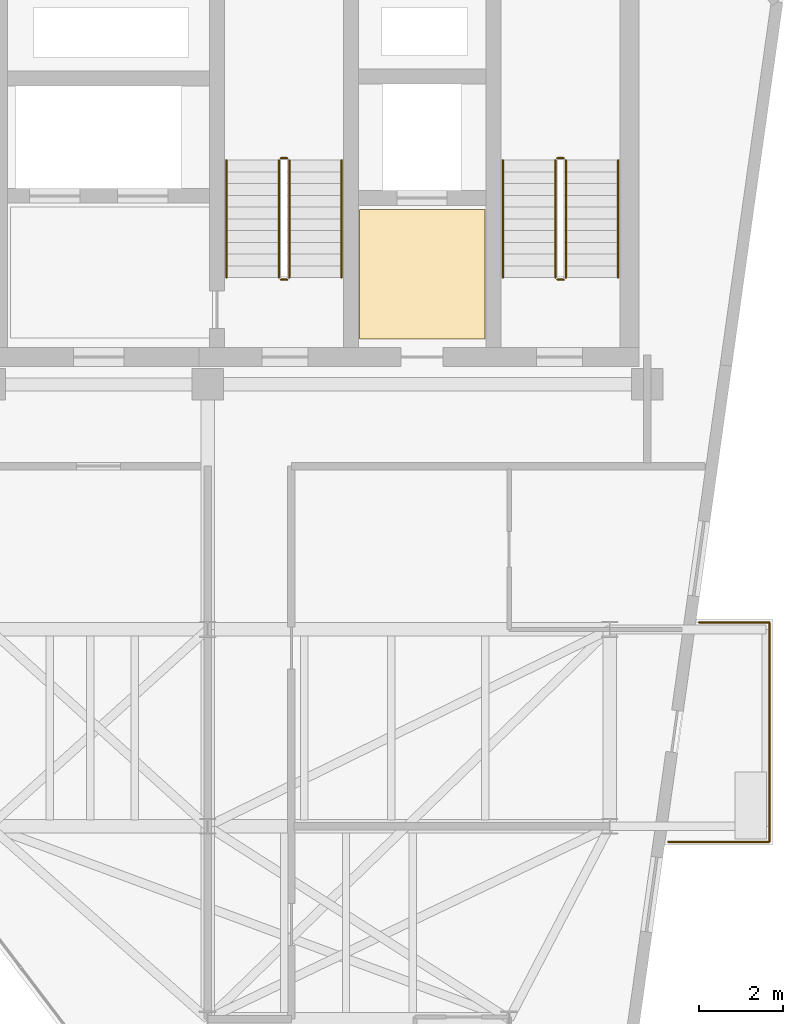
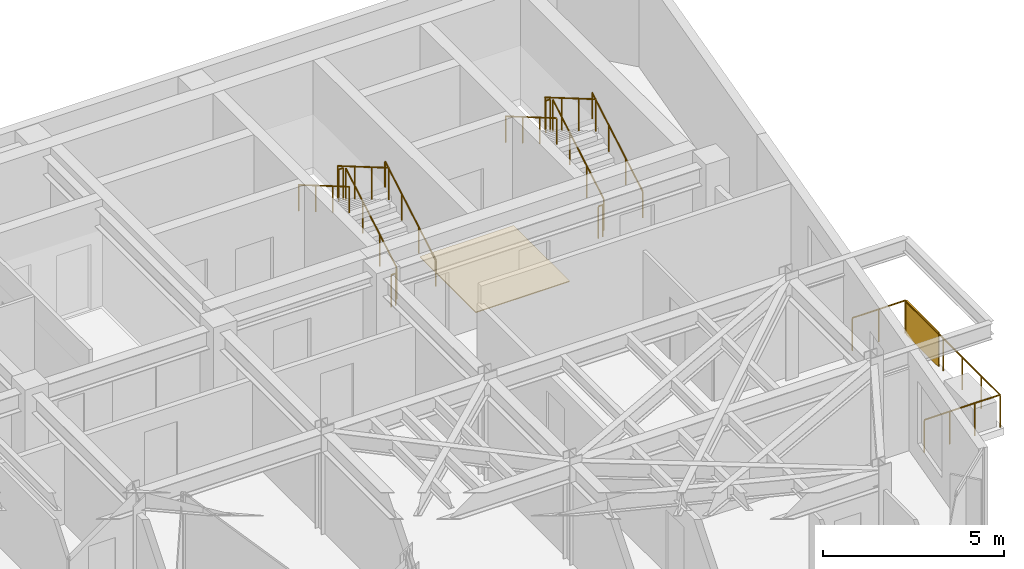
# One storey, part 16 of 16: 15 railings, 1 covering, 1 shading device.
"""IFC4 building model written with IfcOpenShell, lengths in metres."""

from ifc_helpers import new_model, si_unit, direction, frame, origin, origin_2d, place, context, subcontext, project, spatial, polyline, rectangle, circle, outline, extrude, material, layer, layer_set, type_object, element, save


model = new_model("IFC4")

# Units and contexts
model_context = context("Model", 3, precision=1e-05, world=origin(), true_north=direction((0.0, 1.0)))
body_context = subcontext(model_context, "Body", "Model", "MODEL_VIEW")
ifc_project = project(units=[si_unit("LENGTHUNIT", "METRE"), si_unit("AREAUNIT", "SQUARE_METRE"), si_unit("VOLUMEUNIT", "CUBIC_METRE"), si_unit("PLANEANGLEUNIT", "RADIAN"), si_unit("MASSUNIT", "GRAM", prefix="KILO")], contexts=[model_context])

# Site, building, storey
site_placement = place(None, origin())
site = spatial("IfcSite", under=ifc_project, at=site_placement, CompositionType="ELEMENT")
building_placement = place(site_placement, origin())
building = spatial("IfcBuilding", under=site, at=building_placement, Name="Kravanh Interchange Tower", CompositionType="ELEMENT")
storey_placement = place(building_placement, frame((0.0, 0.0, 303.89990234375)))
storey = spatial("IfcBuildingStorey", under=building, at=storey_placement, Name="L75", CompositionType="ELEMENT", Elevation=303.89990234375)

# Covering
ifc_material_1 = material(Name="Cementitious Terrazzo Tile")
ifc_layer_1 = layer(ifc_material_1, 0.030029296875)
ifc_layer_set_1 = layer_set([ifc_layer_1], Name="Honed Terrazzo Lobby Flooring 30mm")
covering_type = type_object("IfcCoveringType", Name="Honed Terrazzo Lobby Flooring 30mm", PredefinedType="FLOORING", material=ifc_layer_set_1)
covering_placement = place(storey_placement, origin())
element("IfcCovering", 1, at=covering_placement, inside=storey, type_object=covering_type, Name="L75 Service Lift Lobby Floor Finish", PredefinedType="FLOORING", context=body_context, shape_type="SweptSolid", body=[
    extrude(outline(polyline([(59.6298828125, 41.52001953125), (62.6201171875, 41.52001953125), (62.6201171875, 38.429931640625), (59.6298828125, 38.429931640625), (59.6298828125, 41.52001953125)])), origin(), (0.0, 0.0, 1.0), 0.030029296875),
])

# Shading device
ifc_material_2 = material(Name="Perforated Anodised Bronze Aluminium", Category="aluminium")
ifc_layer_2 = layer(ifc_material_2, 0.0400390625)
ifc_layer_set_2 = layer_set([ifc_layer_2], Name="Perforated Bronze Balcony Privacy Screen 1150mm")
shading_device_type = type_object("IfcShadingDeviceType", Name="Perforated Bronze Balcony Privacy Screen 1150mm", PredefinedType="USERDEFINED", material=ifc_layer_set_2)
shading_device_placement = place(storey_placement, frame((69.409912109375, 30.699951171875, 0.000244140625), z_axis=(0.0, 0.0, 1.0), x_axis=(1.0, 0.0, 0.0)))
element("IfcShadingDevice", 2, at=shading_device_placement, inside=storey, type_object=shading_device_type, Name="L75 E Perforated Bronze BALCONY SCREEN", ObjectType="SCREEN", PredefinedType="USERDEFINED", context=body_context, shape_type="SweptSolid", body=[
    extrude(rectangle(XDim=0.0400390625, YDim=1.800048828125, at=origin_2d()), origin(), (0.0, 0.0, 1.0), 1.14990234375),
])

# Railings
ifc_material_3 = material(Name="Stainless Steel 316", Category="steel")
ifc_layer_3 = layer(ifc_material_3, 0.06005859375)
ifc_layer_set_3 = layer_set([ifc_layer_3], Name="Perimeter Balcony and Terrace Guardrail Stainless 316 1120mm")
railing_type_1 = type_object("IfcRailingType", Name="Perimeter Balcony and Terrace Guardrail Stainless 316 1120mm", PredefinedType="GUARDRAIL", material=ifc_layer_set_3)
railing_1_placement = place(storey_placement, frame((69.409912109375, 31.669921875, 0.0)))
element("IfcRailing", 3, at=railing_1_placement, inside=storey, type_object=railing_type_1, Name="L75 E Balcony Guardrail 1", PredefinedType="GUARDRAIL", context=body_context, shape_type="SweptSolid", body=[
    extrude(circle(Radius=0.02392578125, at=origin_2d()), frame((0.0, 0.0, 1.09619140625), z_axis=(0.0, -1.0, 0.0), x_axis=(1.0, 0.0, 0.0)), (0.0, 0.0, 1.0), 5.239990234375),
    extrude(circle(Radius=0.02099609375, at=origin_2d()), origin(), (0.0, 0.0, 1.0), 1.072021484375),
    extrude(circle(Radius=0.02099609375, at=origin_2d()), frame((0.0, -1.048095703125, 0.0)), (0.0, 0.0, 1.0), 1.072021484375),
    extrude(circle(Radius=0.02099609375, at=origin_2d()), frame((0.0, -2.095947265625, 0.0)), (0.0, 0.0, 1.0), 1.072021484375),
    extrude(circle(Radius=0.02099609375, at=origin_2d()), frame((0.0, -3.14404296875, 0.0)), (0.0, 0.0, 1.0), 1.072021484375),
    extrude(circle(Radius=0.02099609375, at=origin_2d()), frame((0.0, -4.19189453125, 0.0)), (0.0, 0.0, 1.0), 1.072021484375),
    extrude(circle(Radius=0.02099609375, at=origin_2d()), frame((0.0, -5.239990234375, 0.0)), (0.0, 0.0, 1.0), 1.072021484375),
])
railing_2_placement = place(storey_placement, frame((69.409912109375, 26.429931640625, 0.0)))
element("IfcRailing", 4, at=railing_2_placement, inside=storey, type_object=railing_type_1, Name="L75 E Balcony Guardrail 2", PredefinedType="GUARDRAIL", context=body_context, shape_type="SweptSolid", body=[
    extrude(circle(Radius=0.02392578125, at=origin_2d()), frame((0.0, 0.0, 1.09619140625), z_axis=(-1.0, 0.0, 0.0), x_axis=(0.0, -1.0, 0.0)), (0.0, 0.0, 1.0), 2.415771484375),
    extrude(circle(Radius=0.02099609375, at=origin_2d()), origin(), (0.0, 0.0, 1.0), 1.072021484375),
    extrude(circle(Radius=0.02099609375, at=origin_2d()), frame((-0.80517578125, 0.0, 0.0)), (0.0, 0.0, 1.0), 1.072021484375),
    extrude(circle(Radius=0.02099609375, at=origin_2d()), frame((-1.610595703125, 0.0, 0.0)), (0.0, 0.0, 1.0), 1.072021484375),
    extrude(circle(Radius=0.02099609375, at=origin_2d()), frame((-2.415771484375, 0.0, 0.0)), (0.0, 0.0, 1.0), 1.072021484375),
])
railing_3_placement = place(storey_placement, frame((67.730712890625, 31.669921875, 0.0)))
element("IfcRailing", 5, at=railing_3_placement, inside=storey, type_object=railing_type_1, Name="L75 E Balcony Guardrail 3", PredefinedType="GUARDRAIL", context=body_context, shape_type="SweptSolid", body=[
    extrude(circle(Radius=0.02392578125, at=origin_2d()), frame((0.0, 0.0, 1.09619140625), z_axis=(1.0, 0.0, 0.0), x_axis=(0.0, 1.0, 0.0)), (0.0, 0.0, 1.0), 1.67919921875),
    extrude(circle(Radius=0.02099609375, at=origin_2d()), origin(), (0.0, 0.0, 1.0), 1.072021484375),
    extrude(circle(Radius=0.02099609375, at=origin_2d()), frame((0.839599609375, 0.0, 0.0)), (0.0, 0.0, 1.0), 1.072021484375),
    extrude(circle(Radius=0.02099609375, at=origin_2d()), frame((1.67919921875, 0.0, 0.0)), (0.0, 0.0, 1.0), 1.072021484375),
])
ifc_material_4 = material(Name="Structural Steel S355", Category="steel")
ifc_layer_4 = layer(ifc_material_4, 0.050048828125)
ifc_layer_set_4 = layer_set([ifc_layer_4], Name="Stair Well Guardrail Structural Steel S355 1100mm")
railing_type_2 = type_object("IfcRailingType", Name="Stair Well Guardrail Structural Steel S355 1100mm", PredefinedType="GUARDRAIL", material=ifc_layer_set_4)
railing_4_placement = place(storey_placement, frame((64.550048828125, 39.89990234375, 0.163818359375)))
element("IfcRailing", 6, at=railing_4_placement, inside=storey, type_object=railing_type_2, Name="L75 ST1 stair guard 1", PredefinedType="GUARDRAIL", context=body_context, shape_type="SweptSolid", body=[
    extrude(circle(Radius=0.02392578125, at=origin_2d()), frame((0.0, 0.0, 1.076171875), z_axis=(0.0, 0.863393664356, 0.504530851732), x_axis=(-1.0, 0.0, 0.0)), (0.0, 0.0, 1.0), 3.2431640625),
    extrude(circle(Radius=0.02099609375, at=origin_2d()), origin(), (0.0, 0.0, 1.0), 1.052001953125),
    extrude(circle(Radius=0.02099609375, at=origin_2d()), frame((0.0, 0.933349609375, 0.54541015625)), (0.0, 0.0, 1.0), 1.052001953125),
    extrude(circle(Radius=0.02099609375, at=origin_2d()), frame((0.0, 1.86669921875, 1.0908203125)), (0.0, 0.0, 1.0), 1.052001953125),
    extrude(circle(Radius=0.02099609375, at=origin_2d()), frame((0.0, 2.800048828125, 1.63623046875)), (0.0, 0.0, 1.0), 1.052001953125),
])
railing_5_placement = place(storey_placement, frame((64.5, 42.75, 1.800048828125)))
element("IfcRailing", 7, at=railing_5_placement, inside=storey, type_object=railing_type_2, Name="L75 ST1 stair guard 2", PredefinedType="GUARDRAIL", context=body_context, shape_type="SweptSolid", body=[
    extrude(circle(Radius=0.02392578125, at=origin_2d()), frame((0.0, 0.0, 1.076171875), z_axis=(-1.0, 0.0, 0.0), x_axis=(0.0, -1.0, 0.0)), (0.0, 0.0, 1.0), 0.14990234375),
    extrude(circle(Radius=0.02099609375, at=origin_2d()), origin(), (0.0, 0.0, 1.0), 1.052001953125),
    extrude(circle(Radius=0.02099609375, at=origin_2d()), frame((-0.14990234375, 0.0, 0.0)), (0.0, 0.0, 1.0), 1.052001953125),
])
railing_6_placement = place(storey_placement, frame((64.300048828125, 42.699951171875, 1.963623046875)))
element("IfcRailing", 8, at=railing_6_placement, inside=storey, type_object=railing_type_2, Name="L75 ST1 stair guard 3", PredefinedType="GUARDRAIL", context=body_context, shape_type="SweptSolid", body=[
    extrude(circle(Radius=0.02392578125, at=origin_2d()), frame((0.0, 0.0, 1.076171875), z_axis=(0.0, -0.863360870873, 0.504586966384), x_axis=(1.0, 0.0, 0.0)), (0.0, 0.0, 1.0), 3.2431640625),
    extrude(circle(Radius=0.02099609375, at=origin_2d()), origin(), (0.0, 0.0, 1.0), 1.052001953125),
    extrude(circle(Radius=0.02099609375, at=origin_2d()), frame((0.0, -0.933349609375, 0.54541015625)), (0.0, 0.0, 1.0), 1.052001953125),
    extrude(circle(Radius=0.02099609375, at=origin_2d()), frame((0.0, -1.86669921875, 1.091064453125)), (0.0, 0.0, 1.0), 1.052001953125),
    extrude(circle(Radius=0.02099609375, at=origin_2d()), frame((0.0, -2.800048828125, 1.636474609375)), (0.0, 0.0, 1.0), 1.052001953125),
])
railing_7_placement = place(storey_placement, frame((64.5, 39.85009765625, 0.0)))
element("IfcRailing", 9, at=railing_7_placement, inside=storey, type_object=railing_type_2, Name="L75 ST1 stair guard 4", PredefinedType="GUARDRAIL", context=body_context, shape_type="SweptSolid", body=[
    extrude(circle(Radius=0.02392578125, at=origin_2d()), frame((0.0, 0.0, 1.076171875), z_axis=(-1.0, 0.0, 0.0), x_axis=(0.0, -1.0, 0.0)), (0.0, 0.0, 1.0), 0.14990234375),
    extrude(circle(Radius=0.02099609375, at=origin_2d()), origin(), (0.0, 0.0, 1.0), 1.052001953125),
    extrude(circle(Radius=0.02099609375, at=origin_2d()), frame((-0.14990234375, 0.0, 0.0)), (0.0, 0.0, 1.0), 1.052001953125),
])
railing_8_placement = place(storey_placement, frame((57.949951171875, 39.89990234375, 0.163818359375)))
element("IfcRailing", 10, at=railing_8_placement, inside=storey, type_object=railing_type_2, Name="L75 ST2 stair guard 1", PredefinedType="GUARDRAIL", context=body_context, shape_type="SweptSolid", body=[
    extrude(circle(Radius=0.02392578125, at=origin_2d()), frame((0.0, 0.0, 1.076171875), z_axis=(0.0, 0.863393664356, 0.504530851732), x_axis=(-1.0, 0.0, 0.0)), (0.0, 0.0, 1.0), 3.2431640625),
    extrude(circle(Radius=0.02099609375, at=origin_2d()), origin(), (0.0, 0.0, 1.0), 1.052001953125),
    extrude(circle(Radius=0.02099609375, at=origin_2d()), frame((0.0, 0.933349609375, 0.54541015625)), (0.0, 0.0, 1.0), 1.052001953125),
    extrude(circle(Radius=0.02099609375, at=origin_2d()), frame((0.0, 1.86669921875, 1.0908203125)), (0.0, 0.0, 1.0), 1.052001953125),
    extrude(circle(Radius=0.02099609375, at=origin_2d()), frame((0.0, 2.800048828125, 1.63623046875)), (0.0, 0.0, 1.0), 1.052001953125),
])
railing_9_placement = place(storey_placement, frame((57.89990234375, 42.75, 1.800048828125)))
element("IfcRailing", 11, at=railing_9_placement, inside=storey, type_object=railing_type_2, Name="L75 ST2 stair guard 2", PredefinedType="GUARDRAIL", context=body_context, shape_type="SweptSolid", body=[
    extrude(circle(Radius=0.02392578125, at=origin_2d()), frame((0.0, 0.0, 1.076171875), z_axis=(-1.0, 0.0, 0.0), x_axis=(0.0, -1.0, 0.0)), (0.0, 0.0, 1.0), 0.14990234375),
    extrude(circle(Radius=0.02099609375, at=origin_2d()), origin(), (0.0, 0.0, 1.0), 1.052001953125),
    extrude(circle(Radius=0.02099609375, at=origin_2d()), frame((-0.14990234375, 0.0, 0.0)), (0.0, 0.0, 1.0), 1.052001953125),
])
railing_10_placement = place(storey_placement, frame((57.699951171875, 42.699951171875, 1.963623046875)))
element("IfcRailing", 12, at=railing_10_placement, inside=storey, type_object=railing_type_2, Name="L75 ST2 stair guard 3", PredefinedType="GUARDRAIL", context=body_context, shape_type="SweptSolid", body=[
    extrude(circle(Radius=0.02392578125, at=origin_2d()), frame((0.0, 0.0, 1.076171875), z_axis=(0.0, -0.863360870873, 0.504586966384), x_axis=(1.0, 0.0, 0.0)), (0.0, 0.0, 1.0), 3.2431640625),
    extrude(circle(Radius=0.02099609375, at=origin_2d()), origin(), (0.0, 0.0, 1.0), 1.052001953125),
    extrude(circle(Radius=0.02099609375, at=origin_2d()), frame((0.0, -0.933349609375, 0.54541015625)), (0.0, 0.0, 1.0), 1.052001953125),
    extrude(circle(Radius=0.02099609375, at=origin_2d()), frame((0.0, -1.86669921875, 1.091064453125)), (0.0, 0.0, 1.0), 1.052001953125),
    extrude(circle(Radius=0.02099609375, at=origin_2d()), frame((0.0, -2.800048828125, 1.636474609375)), (0.0, 0.0, 1.0), 1.052001953125),
])
railing_11_placement = place(storey_placement, frame((57.89990234375, 39.85009765625, 0.0)))
element("IfcRailing", 13, at=railing_11_placement, inside=storey, type_object=railing_type_2, Name="L75 ST2 stair guard 4", PredefinedType="GUARDRAIL", context=body_context, shape_type="SweptSolid", body=[
    extrude(circle(Radius=0.02392578125, at=origin_2d()), frame((0.0, 0.0, 1.076171875), z_axis=(-1.0, 0.0, 0.0), x_axis=(0.0, -1.0, 0.0)), (0.0, 0.0, 1.0), 0.14990234375),
    extrude(circle(Radius=0.02099609375, at=origin_2d()), origin(), (0.0, 0.0, 1.0), 1.052001953125),
    extrude(circle(Radius=0.02099609375, at=origin_2d()), frame((-0.14990234375, 0.0, 0.0)), (0.0, 0.0, 1.0), 1.052001953125),
])
ifc_material_5 = material(Name="Stainless Steel 304", Category="steel")
ifc_layer_5 = layer(ifc_material_5, 0.044921875)
ifc_layer_set_5 = layer_set([ifc_layer_5], Name="Tubular Stair Handrail Stainless 304 900mm")
railing_type_3 = type_object("IfcRailingType", Name="Tubular Stair Handrail Stainless 304 900mm", PredefinedType="HANDRAIL", material=ifc_layer_set_5)
railing_12_placement = place(storey_placement, frame((65.800048828125, 39.89990234375, 0.163818359375)))
element("IfcRailing", 14, at=railing_12_placement, inside=storey, type_object=railing_type_3, Name="L75 ST1 stair handrail 1", PredefinedType="HANDRAIL", context=body_context, shape_type="SweptSolid", body=[
    extrude(circle(Radius=0.02392578125, at=origin_2d()), frame((0.0, 0.0, 0.8759765625), z_axis=(0.0, 0.863393664356, 0.504530851732), x_axis=(-1.0, 0.0, 0.0)), (0.0, 0.0, 1.0), 3.2431640625),
    extrude(circle(Radius=0.02099609375, at=origin_2d()), origin(), (0.0, 0.0, 1.0), 0.851806640625),
    extrude(circle(Radius=0.02099609375, at=origin_2d()), frame((0.0, 0.933349609375, 0.54541015625)), (0.0, 0.0, 1.0), 0.851806640625),
    extrude(circle(Radius=0.02099609375, at=origin_2d()), frame((0.0, 1.86669921875, 1.0908203125)), (0.0, 0.0, 1.0), 0.851806640625),
    extrude(circle(Radius=0.02099609375, at=origin_2d()), frame((0.0, 2.800048828125, 1.63623046875)), (0.0, 0.0, 1.0), 0.851806640625),
])
railing_13_placement = place(storey_placement, frame((63.050048828125, 42.699951171875, 1.963623046875)))
element("IfcRailing", 15, at=railing_13_placement, inside=storey, type_object=railing_type_3, Name="L75 ST1 stair handrail 2", PredefinedType="HANDRAIL", context=body_context, shape_type="SweptSolid", body=[
    extrude(circle(Radius=0.02392578125, at=origin_2d()), frame((0.0, 0.0, 0.8759765625), z_axis=(0.0, -0.863360870873, 0.504586966384), x_axis=(1.0, 0.0, 0.0)), (0.0, 0.0, 1.0), 3.2431640625),
    extrude(circle(Radius=0.02099609375, at=origin_2d()), origin(), (0.0, 0.0, 1.0), 0.851806640625),
    extrude(circle(Radius=0.02099609375, at=origin_2d()), frame((0.0, -0.933349609375, 0.54541015625)), (0.0, 0.0, 1.0), 0.851806640625),
    extrude(circle(Radius=0.02099609375, at=origin_2d()), frame((0.0, -1.86669921875, 1.091064453125)), (0.0, 0.0, 1.0), 0.851806640625),
    extrude(circle(Radius=0.02099609375, at=origin_2d()), frame((0.0, -2.800048828125, 1.636474609375)), (0.0, 0.0, 1.0), 0.851806640625),
])
railing_14_placement = place(storey_placement, frame((59.199951171875, 39.89990234375, 0.163818359375)))
element("IfcRailing", 16, at=railing_14_placement, inside=storey, type_object=railing_type_3, Name="L75 ST2 stair handrail 1", PredefinedType="HANDRAIL", context=body_context, shape_type="SweptSolid", body=[
    extrude(circle(Radius=0.02392578125, at=origin_2d()), frame((0.0, 0.0, 0.8759765625), z_axis=(0.0, 0.863393664356, 0.504530851732), x_axis=(-1.0, 0.0, 0.0)), (0.0, 0.0, 1.0), 3.2431640625),
    extrude(circle(Radius=0.02099609375, at=origin_2d()), origin(), (0.0, 0.0, 1.0), 0.851806640625),
    extrude(circle(Radius=0.02099609375, at=origin_2d()), frame((0.0, 0.933349609375, 0.54541015625)), (0.0, 0.0, 1.0), 0.851806640625),
    extrude(circle(Radius=0.02099609375, at=origin_2d()), frame((0.0, 1.86669921875, 1.0908203125)), (0.0, 0.0, 1.0), 0.851806640625),
    extrude(circle(Radius=0.02099609375, at=origin_2d()), frame((0.0, 2.800048828125, 1.63623046875)), (0.0, 0.0, 1.0), 0.851806640625),
])
railing_15_placement = place(storey_placement, frame((56.449951171875, 42.699951171875, 1.963623046875)))
element("IfcRailing", 17, at=railing_15_placement, inside=storey, type_object=railing_type_3, Name="L75 ST2 stair handrail 2", PredefinedType="HANDRAIL", context=body_context, shape_type="SweptSolid", body=[
    extrude(circle(Radius=0.02392578125, at=origin_2d()), frame((0.0, 0.0, 0.8759765625), z_axis=(0.0, -0.863360870873, 0.504586966384), x_axis=(1.0, 0.0, 0.0)), (0.0, 0.0, 1.0), 3.2431640625),
    extrude(circle(Radius=0.02099609375, at=origin_2d()), origin(), (0.0, 0.0, 1.0), 0.851806640625),
    extrude(circle(Radius=0.02099609375, at=origin_2d()), frame((0.0, -0.933349609375, 0.54541015625)), (0.0, 0.0, 1.0), 0.851806640625),
    extrude(circle(Radius=0.02099609375, at=origin_2d()), frame((0.0, -1.86669921875, 1.091064453125)), (0.0, 0.0, 1.0), 0.851806640625),
    extrude(circle(Radius=0.02099609375, at=origin_2d()), frame((0.0, -2.800048828125, 1.636474609375)), (0.0, 0.0, 1.0), 0.851806640625),
])

save(model, "model.ifc")
